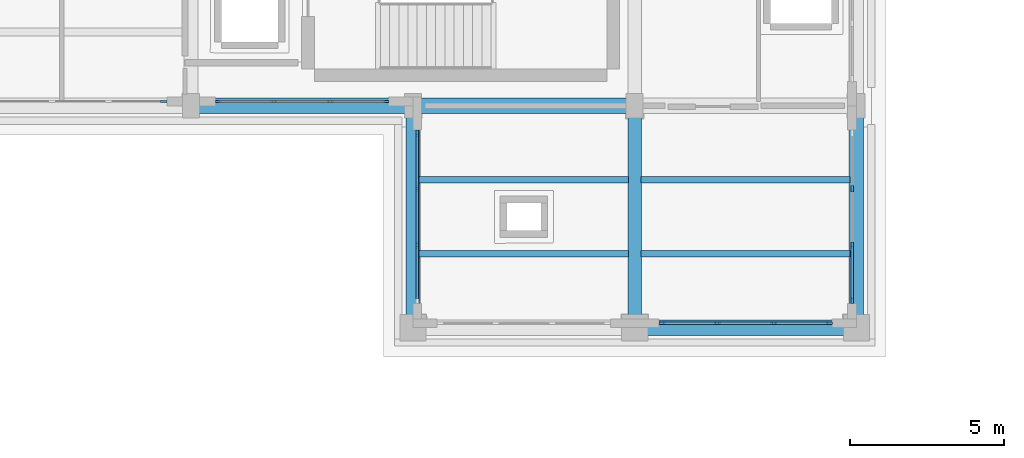
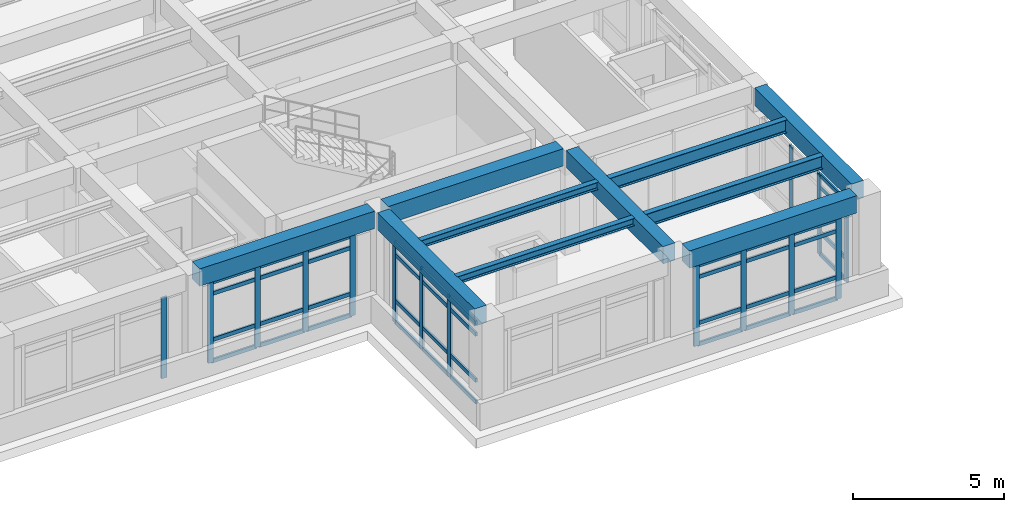
# One storey, part 60 of 98: 55 members, 10 beams, 5 elements without a shape of their own.
"""IFC4 building model written with IfcOpenShell, lengths in metres."""

from ifc_helpers import new_model, si_unit, direction, frame, origin, origin_2d, place, context, subcontext, project, spatial, rectangle, i_section, extrude, material, layer, layer_set, material_profile, profile_set, type_object, element, aggregate, save


model = new_model("IFC4")

# Units and contexts
model_context = context("Model", 3, precision=1e-05, world=origin(), true_north=direction((0.0, 1.0)))
body_context = subcontext(model_context, "Body", "Model", "MODEL_VIEW")
ifc_project = project(units=[si_unit("LENGTHUNIT", "METRE"), si_unit("AREAUNIT", "SQUARE_METRE"), si_unit("VOLUMEUNIT", "CUBIC_METRE"), si_unit("PLANEANGLEUNIT", "RADIAN"), si_unit("MASSUNIT", "GRAM", prefix="KILO")], contexts=[model_context])

# Site, building, storey
site_placement = place(None, origin())
site = spatial("IfcSite", under=ifc_project, at=site_placement, CompositionType="ELEMENT")
building_placement = place(site_placement, origin())
building = spatial("IfcBuilding", under=site, at=building_placement, Name="Solenvale Faculty of Natural Sciences", CompositionType="ELEMENT")
storey_placement = place(building_placement, frame((0.0, 0.0, 9.0)))
storey = spatial("IfcBuildingStorey", under=building, at=storey_placement, Name="L02", CompositionType="ELEMENT", Elevation=9.0)

# Beams
ifc_material_1 = material(Name="Concrete 40 MPa", Category="concrete")
ifc_material_profile_1 = material_profile(ifc_material_1, rectangle(XDim=0.449951171875, YDim=0.699951171875, at=origin_2d()), Name="RC-BM-450x700")
ifc_profile_set_1 = profile_set([ifc_material_profile_1], Name="Concrete 40 MPa")
beam_type_1 = type_object("IfcBeamType", Name="BM-RC-450x700", PredefinedType="BEAM", material=ifc_profile_set_1)
for number, where, z_axis, x_axis, name in (
    (1, (136.800048828125, 86.804931640625, 3.8701171875), (0.0, 1.0, 0.0), (-1.0, 0.0, 0.0), "L02 Y-Girder X136.8 (86.4..93.6)"),
    (2, (144.0, 86.804931640625, 3.8701171875), (0.0, 1.0, 0.0), (-1.0, 0.0, 0.0), "L02 Y-Girder X144.0 (86.4..93.6)"),
    (3, (151.199951171875, 86.804931640625, 3.8701171875), (0.0, 1.0, 0.0), (-1.0, 0.0, 0.0), "L02 Y-Girder X151.2 (86.4..93.6)"),
):
    element("IfcBeam", number, at=place(storey_placement, frame(where, z_axis=z_axis, x_axis=x_axis)), inside=storey, type_object=beam_type_1, Name=name, PredefinedType="BEAM", context=body_context, shape_type="SweptSolid", body=[
        extrude(rectangle(XDim=0.449951171875, YDim=0.699951171875, at=origin_2d()), origin(), (0.0, 0.0, 1.0), 6.4150390625),
    ])
ifc_material_profile_2 = material_profile(ifc_material_1, rectangle(XDim=0.5, YDim=0.699951171875, at=origin_2d()), Name="RC-BM-500x700")
ifc_profile_set_2 = profile_set([ifc_material_profile_2], Name="Concrete 40 MPa")
beam_type_2 = type_object("IfcBeamType", Name="BM-RC-500x700", PredefinedType="BEAM", material=ifc_profile_set_2)
beam_1_placement = place(storey_placement, frame((144.405029296875, 86.39990234375, 3.8701171875), z_axis=(1.0, 0.0, 0.0), x_axis=(0.0, 1.0, 0.0)))
element("IfcBeam", 4, at=beam_1_placement, inside=storey, type_object=beam_type_2, Name="L02 X-Girder Y86.4 (144.0..151.2)", PredefinedType="BEAM", context=body_context, shape_type="SweptSolid", body=[
    extrude(rectangle(XDim=0.5, YDim=0.699951171875, at=origin_2d()), origin(), (0.0, 0.0, 1.0), 6.389892578125),
])
beam_2_placement = place(storey_placement, frame((129.85498046875, 93.60009765625, 3.8701171875), z_axis=(1.0, 0.0, 0.0), x_axis=(0.0, 1.0, 0.0)))
element("IfcBeam", 5, at=beam_2_placement, inside=storey, type_object=beam_type_2, Name="L02 X-Girder Y93.6 (129.6..136.8)", PredefinedType="BEAM", context=body_context, shape_type="SweptSolid", body=[
    extrude(rectangle(XDim=0.5, YDim=0.699951171875, at=origin_2d()), origin(), (0.0, 0.0, 1.0), 6.68994140625),
])
beam_3_placement = place(storey_placement, frame((137.054931640625, 93.60009765625, 3.8701171875), z_axis=(1.0, 0.0, 0.0), x_axis=(0.0, 1.0, 0.0)))
element("IfcBeam", 6, at=beam_3_placement, inside=storey, type_object=beam_type_2, Name="L02 X-Girder Y93.6 (136.8..144.0)", PredefinedType="BEAM", context=body_context, shape_type="SweptSolid", body=[
    extrude(rectangle(XDim=0.5, YDim=0.699951171875, at=origin_2d()), origin(), (0.0, 0.0, 1.0), 6.690185546875),
])
ifc_material_2 = material(Name="Steel S355", Category="steel")
ifc_material_profile_3 = material_profile(ifc_material_2, i_section(OverallWidth=0.202880859375, OverallDepth=0.302978515625, WebThickness=0.007568359375, FlangeThickness=0.01318359375, FilletRadius=0.014892578125, at=origin_2d()), Name="W310x60")
ifc_profile_set_3 = profile_set([ifc_material_profile_3], Name="Steel S355")
beam_type_3 = type_object("IfcBeamType", Name="BM-STL-W310x60", PredefinedType="JOIST", material=ifc_profile_set_3)
for number, where, z_axis, x_axis, name in (
    (7, (137.0048828125, 88.800048828125, 4.068603515625), (1.0, 0.0, 0.0), (0.0, 1.0, 0.0), "L02 Composite Floor Joist (20,13).1"),
    (8, (137.0048828125, 91.199951171875, 4.068603515625), (1.0, 0.0, 0.0), (0.0, 1.0, 0.0), "L02 Composite Floor Joist (20,13).2"),
):
    element("IfcBeam", number, at=place(storey_placement, frame(where, z_axis=z_axis, x_axis=x_axis)), inside=storey, type_object=beam_type_3, Name=name, PredefinedType="JOIST", context=body_context, shape_type="SweptSolid", body=[
        extrude(i_section(OverallWidth=0.202880859375, OverallDepth=0.302978515625, WebThickness=0.007568359375, FlangeThickness=0.01318359375, FilletRadius=0.014892578125, at=origin_2d()), origin(), (0.0, 0.0, 1.0), 6.7900390625),
    ])
ifc_material_profile_4 = material_profile(ifc_material_2, i_section(OverallWidth=0.208984375, OverallDepth=0.532958984375, WebThickness=0.01025390625, FlangeThickness=0.015625, FilletRadius=0.01904296875, at=origin_2d()), Name="W530x92")
ifc_profile_set_4 = profile_set([ifc_material_profile_4], Name="Steel S355")
beam_type_4 = type_object("IfcBeamType", Name="BM-STL-W530x92", PredefinedType="JOIST", material=ifc_profile_set_4)
for number, where, z_axis, x_axis, name in (
    (9, (144.205078125, 88.800048828125, 3.95361328125), (1.0, 0.0, 0.0), (0.0, 1.0, 0.0), "L02 Composite Floor Joist (21,13).1"),
    (10, (144.205078125, 91.199951171875, 3.95361328125), (1.0, 0.0, 0.0), (0.0, 1.0, 0.0), "L02 Composite Floor Joist (21,13).2"),
):
    element("IfcBeam", number, at=place(storey_placement, frame(where, z_axis=z_axis, x_axis=x_axis)), inside=storey, type_object=beam_type_4, Name=name, PredefinedType="JOIST", context=body_context, shape_type="SweptSolid", body=[
        extrude(i_section(OverallWidth=0.208984375, OverallDepth=0.532958984375, WebThickness=0.01025390625, FlangeThickness=0.015625, FilletRadius=0.01904296875, at=origin_2d()), origin(), (0.0, 0.0, 1.0), 6.7900390625),
    ])

# Curtain wall, members
ifc_material_3 = material(Name="Anodised bronze aluminium", Category="aluminium")
ifc_layer = layer(ifc_material_3, 0.179931640625)
ifc_layer_set = layer_set([ifc_layer], Name="Anodised bronze aluminium")
curtain_wall_type = type_object("IfcCurtainWallType", Name="CW-TWR-MOD", PredefinedType="USERDEFINED", material=ifc_layer_set)
curtain_wall_1_placement = place(storey_placement, origin())
curtain_wall_1 = element("IfcCurtainWall", 11, at=curtain_wall_1_placement, inside=storey, type_object=curtain_wall_type, Name="L02 Curtain Wall CW-L02-P2-E1-B2", ObjectType="UNITISED CURTAIN WALL", PredefinedType="USERDEFINED")
ifc_material_profile_5 = material_profile(ifc_material_3, rectangle(XDim=0.074951171875, YDim=0.2099609375, at=origin_2d()), Name="ALU-MUL-75x210")
ifc_profile_set_5 = profile_set([ifc_material_profile_5], Name="Anodised bronze aluminium")
member_type_1 = type_object("IfcMemberType", Name="CWM-ALU-75x210", PredefinedType="MULLION", material=ifc_profile_set_5)
member_1_placement = place(storey_placement, frame((144.887451171875, 86.54248046875, 0.0), z_axis=(0.0, 0.0, 1.0), x_axis=(0.0, 1.0, 0.0)))
member_1 = element("IfcMember", 12, at=member_1_placement, type_object=member_type_1, Name="CW-04 mullion 1", PredefinedType="MULLION", context=body_context, shape_type="SweptSolid", body=[
    extrude(rectangle(XDim=0.074951171875, YDim=0.2099609375, at=origin_2d()), origin(), (0.0, 0.0, 1.0), 3.260009765625),
])
member_2_placement = place(storey_placement, frame((146.683349609375, 86.54248046875, 0.0), z_axis=(0.0, 0.0, 1.0), x_axis=(0.0, 1.0, 0.0)))
member_2 = element("IfcMember", 13, at=member_2_placement, type_object=member_type_1, Name="CW-04 mullion 2", PredefinedType="MULLION", context=body_context, shape_type="SweptSolid", body=[
    extrude(rectangle(XDim=0.074951171875, YDim=0.2099609375, at=origin_2d()), origin(), (0.0, 0.0, 1.0), 3.260009765625),
])
member_3_placement = place(storey_placement, frame((148.5166015625, 86.54248046875, 0.0), z_axis=(0.0, 0.0, 1.0), x_axis=(0.0, 1.0, 0.0)))
member_3 = element("IfcMember", 14, at=member_3_placement, type_object=member_type_1, Name="CW-04 mullion 3", PredefinedType="MULLION", context=body_context, shape_type="SweptSolid", body=[
    extrude(rectangle(XDim=0.074951171875, YDim=0.2099609375, at=origin_2d()), origin(), (0.0, 0.0, 1.0), 3.260009765625),
])
member_4_placement = place(storey_placement, frame((150.3125, 86.54248046875, 0.0), z_axis=(0.0, 0.0, 1.0), x_axis=(0.0, 1.0, 0.0)))
member_4 = element("IfcMember", 15, at=member_4_placement, type_object=member_type_1, Name="CW-04 mullion 4", PredefinedType="MULLION", context=body_context, shape_type="SweptSolid", body=[
    extrude(rectangle(XDim=0.074951171875, YDim=0.2099609375, at=origin_2d()), origin(), (0.0, 0.0, 1.0), 3.260009765625),
])

curtain_wall_2_placement = place(storey_placement, origin())
curtain_wall_2 = element("IfcCurtainWall", 16, at=curtain_wall_2_placement, inside=storey, type_object=curtain_wall_type, Name="L02 Curtain Wall CW-L02-P2-E2-B1", ObjectType="UNITISED CURTAIN WALL", PredefinedType="USERDEFINED")
member_5_placement = place(storey_placement, frame((151.0576171875, 87.28759765625, 0.0), z_axis=(0.0, 0.0, 1.0), x_axis=(-1.0, 0.0, 0.0)))
member_5 = element("IfcMember", 17, at=member_5_placement, type_object=member_type_1, Name="CW-04 mullion 1", PredefinedType="MULLION", context=body_context, shape_type="SweptSolid", body=[
    extrude(rectangle(XDim=0.074951171875, YDim=0.2099609375, at=origin_2d()), origin(), (0.0, 0.0, 1.0), 3.260009765625),
])
member_6_placement = place(storey_placement, frame((151.0576171875, 89.083251953125, 0.0), z_axis=(0.0, 0.0, 1.0), x_axis=(-1.0, 0.0, 0.0)))
member_6 = element("IfcMember", 18, at=member_6_placement, type_object=member_type_1, Name="CW-04 mullion 2", PredefinedType="MULLION", context=body_context, shape_type="SweptSolid", body=[
    extrude(rectangle(XDim=0.074951171875, YDim=0.2099609375, at=origin_2d()), origin(), (0.0, 0.0, 1.0), 3.260009765625),
])
member_7_placement = place(storey_placement, frame((151.0576171875, 90.916748046875, 0.0), z_axis=(0.0, 0.0, 1.0), x_axis=(-1.0, 0.0, 0.0)))
member_7 = element("IfcMember", 19, at=member_7_placement, type_object=member_type_1, Name="CW-04 mullion 3", PredefinedType="MULLION", context=body_context, shape_type="SweptSolid", body=[
    extrude(rectangle(XDim=0.074951171875, YDim=0.2099609375, at=origin_2d()), origin(), (0.0, 0.0, 1.0), 3.260009765625),
])

# Curtain wall, member
curtain_wall_3_placement = place(storey_placement, origin())
curtain_wall_3 = element("IfcCurtainWall", 20, at=curtain_wall_3_placement, inside=storey, type_object=curtain_wall_type, Name="L02 Curtain Wall CW-L02-P2-E6-B7", ObjectType="UNITISED CURTAIN WALL", PredefinedType="USERDEFINED")
member_8_placement = place(storey_placement, frame((128.71240234375, 93.742431640625, 0.0), z_axis=(0.0, 0.0, 1.0), x_axis=(0.0, 1.0, 0.0)))
member_8 = element("IfcMember", 21, at=member_8_placement, type_object=member_type_1, Name="CW-04 mullion 4", PredefinedType="MULLION", context=body_context, shape_type="SweptSolid", body=[
    extrude(rectangle(XDim=0.074951171875, YDim=0.2099609375, at=origin_2d()), origin(), (0.0, 0.0, 1.0), 3.260009765625),
])
aggregate(curtain_wall_3, [member_8])

# Curtain wall, members
curtain_wall_4_placement = place(storey_placement, origin())
curtain_wall_4 = element("IfcCurtainWall", 22, at=curtain_wall_4_placement, inside=storey, type_object=curtain_wall_type, Name="L02 Curtain Wall CW-L02-P2-E6-B8", ObjectType="UNITISED CURTAIN WALL", PredefinedType="USERDEFINED")
member_9_placement = place(storey_placement, frame((130.487548828125, 93.742431640625, 0.0), z_axis=(0.0, 0.0, 1.0), x_axis=(0.0, 1.0, 0.0)))
member_9 = element("IfcMember", 23, at=member_9_placement, type_object=member_type_1, Name="CW-04 mullion 1", PredefinedType="MULLION", context=body_context, shape_type="SweptSolid", body=[
    extrude(rectangle(XDim=0.074951171875, YDim=0.2099609375, at=origin_2d()), origin(), (0.0, 0.0, 1.0), 3.260009765625),
])
member_10_placement = place(storey_placement, frame((132.283447265625, 93.742431640625, 0.0), z_axis=(0.0, 0.0, 1.0), x_axis=(0.0, 1.0, 0.0)))
member_10 = element("IfcMember", 24, at=member_10_placement, type_object=member_type_1, Name="CW-04 mullion 2", PredefinedType="MULLION", context=body_context, shape_type="SweptSolid", body=[
    extrude(rectangle(XDim=0.074951171875, YDim=0.2099609375, at=origin_2d()), origin(), (0.0, 0.0, 1.0), 3.260009765625),
])
member_11_placement = place(storey_placement, frame((134.11669921875, 93.742431640625, 0.0), z_axis=(0.0, 0.0, 1.0), x_axis=(0.0, 1.0, 0.0)))
member_11 = element("IfcMember", 25, at=member_11_placement, type_object=member_type_1, Name="CW-04 mullion 3", PredefinedType="MULLION", context=body_context, shape_type="SweptSolid", body=[
    extrude(rectangle(XDim=0.074951171875, YDim=0.2099609375, at=origin_2d()), origin(), (0.0, 0.0, 1.0), 3.260009765625),
])
member_12_placement = place(storey_placement, frame((135.91259765625, 93.742431640625, 0.0), z_axis=(0.0, 0.0, 1.0), x_axis=(0.0, 1.0, 0.0)))
member_12 = element("IfcMember", 26, at=member_12_placement, type_object=member_type_1, Name="CW-04 mullion 4", PredefinedType="MULLION", context=body_context, shape_type="SweptSolid", body=[
    extrude(rectangle(XDim=0.074951171875, YDim=0.2099609375, at=origin_2d()), origin(), (0.0, 0.0, 1.0), 3.260009765625),
])

curtain_wall_5_placement = place(storey_placement, origin())
curtain_wall_5 = element("IfcCurtainWall", 27, at=curtain_wall_5_placement, inside=storey, type_object=curtain_wall_type, Name="L02 Curtain Wall CW-L02-P2-E7-B1", ObjectType="UNITISED CURTAIN WALL", PredefinedType="USERDEFINED")
member_13_placement = place(storey_placement, frame((136.9423828125, 92.71240234375, 0.0), z_axis=(0.0, 0.0, 1.0), x_axis=(1.0, 0.0, 0.0)))
member_13 = element("IfcMember", 28, at=member_13_placement, type_object=member_type_1, Name="CW-04 mullion 1", PredefinedType="MULLION", context=body_context, shape_type="SweptSolid", body=[
    extrude(rectangle(XDim=0.074951171875, YDim=0.2099609375, at=origin_2d()), origin(), (0.0, 0.0, 1.0), 3.260009765625),
])
member_14_placement = place(storey_placement, frame((136.9423828125, 90.916748046875, 0.0), z_axis=(0.0, 0.0, 1.0), x_axis=(1.0, 0.0, 0.0)))
member_14 = element("IfcMember", 29, at=member_14_placement, type_object=member_type_1, Name="CW-04 mullion 2", PredefinedType="MULLION", context=body_context, shape_type="SweptSolid", body=[
    extrude(rectangle(XDim=0.074951171875, YDim=0.2099609375, at=origin_2d()), origin(), (0.0, 0.0, 1.0), 3.260009765625),
])
member_15_placement = place(storey_placement, frame((136.9423828125, 89.083251953125, 0.0), z_axis=(0.0, 0.0, 1.0), x_axis=(1.0, 0.0, 0.0)))
member_15 = element("IfcMember", 30, at=member_15_placement, type_object=member_type_1, Name="CW-04 mullion 3", PredefinedType="MULLION", context=body_context, shape_type="SweptSolid", body=[
    extrude(rectangle(XDim=0.074951171875, YDim=0.2099609375, at=origin_2d()), origin(), (0.0, 0.0, 1.0), 3.260009765625),
])

# Member
ifc_material_profile_6 = material_profile(ifc_material_3, rectangle(XDim=0.074951171875, YDim=0.155029296875, at=origin_2d()), Name="ALU-TRN-75x155")
ifc_profile_set_6 = profile_set([ifc_material_profile_6], Name="Anodised bronze aluminium")
member_type_2 = type_object("IfcMemberType", Name="CWT-ALU-75x155", PredefinedType="USERDEFINED", material=ifc_profile_set_6)
member_16_placement = place(storey_placement, frame((144.925048828125, 86.54248046875, 0.03759765625), z_axis=(1.0, 0.0, 0.0), x_axis=(0.0, 1.0, 0.0)))
member_16 = element("IfcMember", 31, at=member_16_placement, type_object=member_type_2, Name="CW-04 transom 1.1", ObjectType="TRANSOM", PredefinedType="USERDEFINED", context=body_context, shape_type="SweptSolid", body=[
    extrude(rectangle(XDim=0.074951171875, YDim=0.155029296875, at=origin_2d()), origin(), (0.0, 0.0, 1.0), 1.720703125),
])

member_17_placement = place(storey_placement, frame((144.925048828125, 86.54248046875, 0.89990234375), z_axis=(1.0, 0.0, 0.0), x_axis=(0.0, 1.0, 0.0)))
member_17 = element("IfcMember", 32, at=member_17_placement, type_object=member_type_2, Name="CW-04 transom 1.2", ObjectType="TRANSOM", PredefinedType="USERDEFINED", context=body_context, shape_type="SweptSolid", body=[
    extrude(rectangle(XDim=0.074951171875, YDim=0.155029296875, at=origin_2d()), origin(), (0.0, 0.0, 1.0), 1.720703125),
])

member_18_placement = place(storey_placement, frame((144.925048828125, 86.54248046875, 2.760009765625), z_axis=(1.0, 0.0, 0.0), x_axis=(0.0, 1.0, 0.0)))
member_18 = element("IfcMember", 33, at=member_18_placement, type_object=member_type_2, Name="CW-04 transom 1.3", ObjectType="TRANSOM", PredefinedType="USERDEFINED", context=body_context, shape_type="SweptSolid", body=[
    extrude(rectangle(XDim=0.074951171875, YDim=0.155029296875, at=origin_2d()), origin(), (0.0, 0.0, 1.0), 1.720703125),
])

member_19_placement = place(storey_placement, frame((144.925048828125, 86.54248046875, 3.222412109375), z_axis=(1.0, 0.0, 0.0), x_axis=(0.0, 1.0, 0.0)))
member_19 = element("IfcMember", 34, at=member_19_placement, type_object=member_type_2, Name="CW-04 transom 1.4", ObjectType="TRANSOM", PredefinedType="USERDEFINED", context=body_context, shape_type="SweptSolid", body=[
    extrude(rectangle(XDim=0.074951171875, YDim=0.155029296875, at=origin_2d()), origin(), (0.0, 0.0, 1.0), 1.720703125),
])

member_20_placement = place(storey_placement, frame((146.720947265625, 86.54248046875, 0.03759765625), z_axis=(1.0, 0.0, 0.0), x_axis=(0.0, 1.0, 0.0)))
member_20 = element("IfcMember", 35, at=member_20_placement, type_object=member_type_2, Name="CW-04 transom 2.1", ObjectType="TRANSOM", PredefinedType="USERDEFINED", context=body_context, shape_type="SweptSolid", body=[
    extrude(rectangle(XDim=0.074951171875, YDim=0.155029296875, at=origin_2d()), origin(), (0.0, 0.0, 1.0), 1.75830078125),
])

member_21_placement = place(storey_placement, frame((146.720947265625, 86.54248046875, 0.89990234375), z_axis=(1.0, 0.0, 0.0), x_axis=(0.0, 1.0, 0.0)))
member_21 = element("IfcMember", 36, at=member_21_placement, type_object=member_type_2, Name="CW-04 transom 2.2", ObjectType="TRANSOM", PredefinedType="USERDEFINED", context=body_context, shape_type="SweptSolid", body=[
    extrude(rectangle(XDim=0.074951171875, YDim=0.155029296875, at=origin_2d()), origin(), (0.0, 0.0, 1.0), 1.75830078125),
])

member_22_placement = place(storey_placement, frame((146.720947265625, 86.54248046875, 2.760009765625), z_axis=(1.0, 0.0, 0.0), x_axis=(0.0, 1.0, 0.0)))
member_22 = element("IfcMember", 37, at=member_22_placement, type_object=member_type_2, Name="CW-04 transom 2.3", ObjectType="TRANSOM", PredefinedType="USERDEFINED", context=body_context, shape_type="SweptSolid", body=[
    extrude(rectangle(XDim=0.074951171875, YDim=0.155029296875, at=origin_2d()), origin(), (0.0, 0.0, 1.0), 1.75830078125),
])

member_23_placement = place(storey_placement, frame((146.720947265625, 86.54248046875, 3.222412109375), z_axis=(1.0, 0.0, 0.0), x_axis=(0.0, 1.0, 0.0)))
member_23 = element("IfcMember", 38, at=member_23_placement, type_object=member_type_2, Name="CW-04 transom 2.4", ObjectType="TRANSOM", PredefinedType="USERDEFINED", context=body_context, shape_type="SweptSolid", body=[
    extrude(rectangle(XDim=0.074951171875, YDim=0.155029296875, at=origin_2d()), origin(), (0.0, 0.0, 1.0), 1.75830078125),
])

member_24_placement = place(storey_placement, frame((148.55419921875, 86.54248046875, 0.03759765625), z_axis=(1.0, 0.0, 0.0), x_axis=(0.0, 1.0, 0.0)))
member_24 = element("IfcMember", 39, at=member_24_placement, type_object=member_type_2, Name="CW-04 transom 3.1", ObjectType="TRANSOM", PredefinedType="USERDEFINED", context=body_context, shape_type="SweptSolid", body=[
    extrude(rectangle(XDim=0.074951171875, YDim=0.155029296875, at=origin_2d()), origin(), (0.0, 0.0, 1.0), 1.720703125),
])

member_25_placement = place(storey_placement, frame((148.55419921875, 86.54248046875, 0.89990234375), z_axis=(1.0, 0.0, 0.0), x_axis=(0.0, 1.0, 0.0)))
member_25 = element("IfcMember", 40, at=member_25_placement, type_object=member_type_2, Name="CW-04 transom 3.2", ObjectType="TRANSOM", PredefinedType="USERDEFINED", context=body_context, shape_type="SweptSolid", body=[
    extrude(rectangle(XDim=0.074951171875, YDim=0.155029296875, at=origin_2d()), origin(), (0.0, 0.0, 1.0), 1.720703125),
])

member_26_placement = place(storey_placement, frame((148.55419921875, 86.54248046875, 2.760009765625), z_axis=(1.0, 0.0, 0.0), x_axis=(0.0, 1.0, 0.0)))
member_26 = element("IfcMember", 41, at=member_26_placement, type_object=member_type_2, Name="CW-04 transom 3.3", ObjectType="TRANSOM", PredefinedType="USERDEFINED", context=body_context, shape_type="SweptSolid", body=[
    extrude(rectangle(XDim=0.074951171875, YDim=0.155029296875, at=origin_2d()), origin(), (0.0, 0.0, 1.0), 1.720703125),
])

member_27_placement = place(storey_placement, frame((148.55419921875, 86.54248046875, 3.222412109375), z_axis=(1.0, 0.0, 0.0), x_axis=(0.0, 1.0, 0.0)))
member_27 = element("IfcMember", 42, at=member_27_placement, type_object=member_type_2, Name="CW-04 transom 3.4", ObjectType="TRANSOM", PredefinedType="USERDEFINED", context=body_context, shape_type="SweptSolid", body=[
    extrude(rectangle(XDim=0.074951171875, YDim=0.155029296875, at=origin_2d()), origin(), (0.0, 0.0, 1.0), 1.720703125),
])

aggregate(curtain_wall_1, [member_1, member_2, member_3, member_4, member_16, member_17, member_18, member_19, member_20, member_21, member_22, member_23, member_24, member_25, member_26, member_27])

member_28_placement = place(storey_placement, frame((151.0576171875, 87.324951171875, 0.03759765625), z_axis=(0.0, 1.0, 0.0), x_axis=(-1.0, 0.0, 0.0)))
member_28 = element("IfcMember", 43, at=member_28_placement, type_object=member_type_2, Name="CW-04 transom 1.1", ObjectType="TRANSOM", PredefinedType="USERDEFINED", context=body_context, shape_type="SweptSolid", body=[
    extrude(rectangle(XDim=0.074951171875, YDim=0.155029296875, at=origin_2d()), origin(), (0.0, 0.0, 1.0), 1.720947265625),
])

member_29_placement = place(storey_placement, frame((151.0576171875, 87.324951171875, 0.89990234375), z_axis=(0.0, 1.0, 0.0), x_axis=(-1.0, 0.0, 0.0)))
member_29 = element("IfcMember", 44, at=member_29_placement, type_object=member_type_2, Name="CW-04 transom 1.2", ObjectType="TRANSOM", PredefinedType="USERDEFINED", context=body_context, shape_type="SweptSolid", body=[
    extrude(rectangle(XDim=0.074951171875, YDim=0.155029296875, at=origin_2d()), origin(), (0.0, 0.0, 1.0), 1.720947265625),
])

member_30_placement = place(storey_placement, frame((151.0576171875, 87.324951171875, 2.760009765625), z_axis=(0.0, 1.0, 0.0), x_axis=(-1.0, 0.0, 0.0)))
member_30 = element("IfcMember", 45, at=member_30_placement, type_object=member_type_2, Name="CW-04 transom 1.3", ObjectType="TRANSOM", PredefinedType="USERDEFINED", context=body_context, shape_type="SweptSolid", body=[
    extrude(rectangle(XDim=0.074951171875, YDim=0.155029296875, at=origin_2d()), origin(), (0.0, 0.0, 1.0), 1.720947265625),
])

member_31_placement = place(storey_placement, frame((151.0576171875, 87.324951171875, 3.222412109375), z_axis=(0.0, 1.0, 0.0), x_axis=(-1.0, 0.0, 0.0)))
member_31 = element("IfcMember", 46, at=member_31_placement, type_object=member_type_2, Name="CW-04 transom 1.4", ObjectType="TRANSOM", PredefinedType="USERDEFINED", context=body_context, shape_type="SweptSolid", body=[
    extrude(rectangle(XDim=0.074951171875, YDim=0.155029296875, at=origin_2d()), origin(), (0.0, 0.0, 1.0), 1.720947265625),
])

aggregate(curtain_wall_2, [member_5, member_6, member_7, member_28, member_29, member_30, member_31])

member_32_placement = place(storey_placement, frame((130.52490234375, 93.742431640625, 0.03759765625), z_axis=(1.0, 0.0, 0.0), x_axis=(0.0, 1.0, 0.0)))
member_32 = element("IfcMember", 47, at=member_32_placement, type_object=member_type_2, Name="CW-04 transom 1.1", ObjectType="TRANSOM", PredefinedType="USERDEFINED", context=body_context, shape_type="SweptSolid", body=[
    extrude(rectangle(XDim=0.074951171875, YDim=0.155029296875, at=origin_2d()), origin(), (0.0, 0.0, 1.0), 1.720947265625),
])

member_33_placement = place(storey_placement, frame((130.52490234375, 93.742431640625, 0.89990234375), z_axis=(1.0, 0.0, 0.0), x_axis=(0.0, 1.0, 0.0)))
member_33 = element("IfcMember", 48, at=member_33_placement, type_object=member_type_2, Name="CW-04 transom 1.2", ObjectType="TRANSOM", PredefinedType="USERDEFINED", context=body_context, shape_type="SweptSolid", body=[
    extrude(rectangle(XDim=0.074951171875, YDim=0.155029296875, at=origin_2d()), origin(), (0.0, 0.0, 1.0), 1.720947265625),
])

member_34_placement = place(storey_placement, frame((130.52490234375, 93.742431640625, 2.760009765625), z_axis=(1.0, 0.0, 0.0), x_axis=(0.0, 1.0, 0.0)))
member_34 = element("IfcMember", 49, at=member_34_placement, type_object=member_type_2, Name="CW-04 transom 1.3", ObjectType="TRANSOM", PredefinedType="USERDEFINED", context=body_context, shape_type="SweptSolid", body=[
    extrude(rectangle(XDim=0.074951171875, YDim=0.155029296875, at=origin_2d()), origin(), (0.0, 0.0, 1.0), 1.720947265625),
])

member_35_placement = place(storey_placement, frame((130.52490234375, 93.742431640625, 3.222412109375), z_axis=(1.0, 0.0, 0.0), x_axis=(0.0, 1.0, 0.0)))
member_35 = element("IfcMember", 50, at=member_35_placement, type_object=member_type_2, Name="CW-04 transom 1.4", ObjectType="TRANSOM", PredefinedType="USERDEFINED", context=body_context, shape_type="SweptSolid", body=[
    extrude(rectangle(XDim=0.074951171875, YDim=0.155029296875, at=origin_2d()), origin(), (0.0, 0.0, 1.0), 1.720947265625),
])

member_36_placement = place(storey_placement, frame((132.32080078125, 93.742431640625, 0.03759765625), z_axis=(1.0, 0.0, 0.0), x_axis=(0.0, 1.0, 0.0)))
member_36 = element("IfcMember", 51, at=member_36_placement, type_object=member_type_2, Name="CW-04 transom 2.1", ObjectType="TRANSOM", PredefinedType="USERDEFINED", context=body_context, shape_type="SweptSolid", body=[
    extrude(rectangle(XDim=0.074951171875, YDim=0.155029296875, at=origin_2d()), origin(), (0.0, 0.0, 1.0), 1.75830078125),
])

member_37_placement = place(storey_placement, frame((132.32080078125, 93.742431640625, 0.89990234375), z_axis=(1.0, 0.0, 0.0), x_axis=(0.0, 1.0, 0.0)))
member_37 = element("IfcMember", 52, at=member_37_placement, type_object=member_type_2, Name="CW-04 transom 2.2", ObjectType="TRANSOM", PredefinedType="USERDEFINED", context=body_context, shape_type="SweptSolid", body=[
    extrude(rectangle(XDim=0.074951171875, YDim=0.155029296875, at=origin_2d()), origin(), (0.0, 0.0, 1.0), 1.75830078125),
])

member_38_placement = place(storey_placement, frame((132.32080078125, 93.742431640625, 2.760009765625), z_axis=(1.0, 0.0, 0.0), x_axis=(0.0, 1.0, 0.0)))
member_38 = element("IfcMember", 53, at=member_38_placement, type_object=member_type_2, Name="CW-04 transom 2.3", ObjectType="TRANSOM", PredefinedType="USERDEFINED", context=body_context, shape_type="SweptSolid", body=[
    extrude(rectangle(XDim=0.074951171875, YDim=0.155029296875, at=origin_2d()), origin(), (0.0, 0.0, 1.0), 1.75830078125),
])

member_39_placement = place(storey_placement, frame((132.32080078125, 93.742431640625, 3.222412109375), z_axis=(1.0, 0.0, 0.0), x_axis=(0.0, 1.0, 0.0)))
member_39 = element("IfcMember", 54, at=member_39_placement, type_object=member_type_2, Name="CW-04 transom 2.4", ObjectType="TRANSOM", PredefinedType="USERDEFINED", context=body_context, shape_type="SweptSolid", body=[
    extrude(rectangle(XDim=0.074951171875, YDim=0.155029296875, at=origin_2d()), origin(), (0.0, 0.0, 1.0), 1.75830078125),
])

member_40_placement = place(storey_placement, frame((134.154052734375, 93.742431640625, 0.03759765625), z_axis=(1.0, 0.0, 0.0), x_axis=(0.0, 1.0, 0.0)))
member_40 = element("IfcMember", 55, at=member_40_placement, type_object=member_type_2, Name="CW-04 transom 3.1", ObjectType="TRANSOM", PredefinedType="USERDEFINED", context=body_context, shape_type="SweptSolid", body=[
    extrude(rectangle(XDim=0.074951171875, YDim=0.155029296875, at=origin_2d()), origin(), (0.0, 0.0, 1.0), 1.720947265625),
])

member_41_placement = place(storey_placement, frame((134.154052734375, 93.742431640625, 0.89990234375), z_axis=(1.0, 0.0, 0.0), x_axis=(0.0, 1.0, 0.0)))
member_41 = element("IfcMember", 56, at=member_41_placement, type_object=member_type_2, Name="CW-04 transom 3.2", ObjectType="TRANSOM", PredefinedType="USERDEFINED", context=body_context, shape_type="SweptSolid", body=[
    extrude(rectangle(XDim=0.074951171875, YDim=0.155029296875, at=origin_2d()), origin(), (0.0, 0.0, 1.0), 1.720947265625),
])

member_42_placement = place(storey_placement, frame((134.154052734375, 93.742431640625, 2.760009765625), z_axis=(1.0, 0.0, 0.0), x_axis=(0.0, 1.0, 0.0)))
member_42 = element("IfcMember", 57, at=member_42_placement, type_object=member_type_2, Name="CW-04 transom 3.3", ObjectType="TRANSOM", PredefinedType="USERDEFINED", context=body_context, shape_type="SweptSolid", body=[
    extrude(rectangle(XDim=0.074951171875, YDim=0.155029296875, at=origin_2d()), origin(), (0.0, 0.0, 1.0), 1.720947265625),
])

member_43_placement = place(storey_placement, frame((134.154052734375, 93.742431640625, 3.222412109375), z_axis=(1.0, 0.0, 0.0), x_axis=(0.0, 1.0, 0.0)))
member_43 = element("IfcMember", 58, at=member_43_placement, type_object=member_type_2, Name="CW-04 transom 3.4", ObjectType="TRANSOM", PredefinedType="USERDEFINED", context=body_context, shape_type="SweptSolid", body=[
    extrude(rectangle(XDim=0.074951171875, YDim=0.155029296875, at=origin_2d()), origin(), (0.0, 0.0, 1.0), 1.720947265625),
])

aggregate(curtain_wall_4, [member_9, member_10, member_11, member_12, member_32, member_33, member_34, member_35, member_36, member_37, member_38, member_39, member_40, member_41, member_42, member_43])

member_44_placement = place(storey_placement, frame((136.9423828125, 92.675048828125, 0.03759765625), z_axis=(0.0, -1.0, 0.0), x_axis=(1.0, 0.0, 0.0)))
member_44 = element("IfcMember", 59, at=member_44_placement, type_object=member_type_2, Name="CW-04 transom 1.1", ObjectType="TRANSOM", PredefinedType="USERDEFINED", context=body_context, shape_type="SweptSolid", body=[
    extrude(rectangle(XDim=0.074951171875, YDim=0.155029296875, at=origin_2d()), origin(), (0.0, 0.0, 1.0), 1.720947265625),
])

member_45_placement = place(storey_placement, frame((136.9423828125, 92.675048828125, 0.89990234375), z_axis=(0.0, -1.0, 0.0), x_axis=(1.0, 0.0, 0.0)))
member_45 = element("IfcMember", 60, at=member_45_placement, type_object=member_type_2, Name="CW-04 transom 1.2", ObjectType="TRANSOM", PredefinedType="USERDEFINED", context=body_context, shape_type="SweptSolid", body=[
    extrude(rectangle(XDim=0.074951171875, YDim=0.155029296875, at=origin_2d()), origin(), (0.0, 0.0, 1.0), 1.720947265625),
])

member_46_placement = place(storey_placement, frame((136.9423828125, 92.675048828125, 2.760009765625), z_axis=(0.0, -1.0, 0.0), x_axis=(1.0, 0.0, 0.0)))
member_46 = element("IfcMember", 61, at=member_46_placement, type_object=member_type_2, Name="CW-04 transom 1.3", ObjectType="TRANSOM", PredefinedType="USERDEFINED", context=body_context, shape_type="SweptSolid", body=[
    extrude(rectangle(XDim=0.074951171875, YDim=0.155029296875, at=origin_2d()), origin(), (0.0, 0.0, 1.0), 1.720947265625),
])

member_47_placement = place(storey_placement, frame((136.9423828125, 92.675048828125, 3.222412109375), z_axis=(0.0, -1.0, 0.0), x_axis=(1.0, 0.0, 0.0)))
member_47 = element("IfcMember", 62, at=member_47_placement, type_object=member_type_2, Name="CW-04 transom 1.4", ObjectType="TRANSOM", PredefinedType="USERDEFINED", context=body_context, shape_type="SweptSolid", body=[
    extrude(rectangle(XDim=0.074951171875, YDim=0.155029296875, at=origin_2d()), origin(), (0.0, 0.0, 1.0), 1.720947265625),
])

member_48_placement = place(storey_placement, frame((136.9423828125, 90.879150390625, 0.03759765625), z_axis=(0.0, -1.0, 0.0), x_axis=(1.0, 0.0, 0.0)))
member_48 = element("IfcMember", 63, at=member_48_placement, type_object=member_type_2, Name="CW-04 transom 2.1", ObjectType="TRANSOM", PredefinedType="USERDEFINED", context=body_context, shape_type="SweptSolid", body=[
    extrude(rectangle(XDim=0.074951171875, YDim=0.155029296875, at=origin_2d()), origin(), (0.0, 0.0, 1.0), 1.75830078125),
])

member_49_placement = place(storey_placement, frame((136.9423828125, 90.879150390625, 0.89990234375), z_axis=(0.0, -1.0, 0.0), x_axis=(1.0, 0.0, 0.0)))
member_49 = element("IfcMember", 64, at=member_49_placement, type_object=member_type_2, Name="CW-04 transom 2.2", ObjectType="TRANSOM", PredefinedType="USERDEFINED", context=body_context, shape_type="SweptSolid", body=[
    extrude(rectangle(XDim=0.074951171875, YDim=0.155029296875, at=origin_2d()), origin(), (0.0, 0.0, 1.0), 1.75830078125),
])

member_50_placement = place(storey_placement, frame((136.9423828125, 90.879150390625, 2.760009765625), z_axis=(0.0, -1.0, 0.0), x_axis=(1.0, 0.0, 0.0)))
member_50 = element("IfcMember", 65, at=member_50_placement, type_object=member_type_2, Name="CW-04 transom 2.3", ObjectType="TRANSOM", PredefinedType="USERDEFINED", context=body_context, shape_type="SweptSolid", body=[
    extrude(rectangle(XDim=0.074951171875, YDim=0.155029296875, at=origin_2d()), origin(), (0.0, 0.0, 1.0), 1.75830078125),
])

member_51_placement = place(storey_placement, frame((136.9423828125, 90.879150390625, 3.222412109375), z_axis=(0.0, -1.0, 0.0), x_axis=(1.0, 0.0, 0.0)))
member_51 = element("IfcMember", 66, at=member_51_placement, type_object=member_type_2, Name="CW-04 transom 2.4", ObjectType="TRANSOM", PredefinedType="USERDEFINED", context=body_context, shape_type="SweptSolid", body=[
    extrude(rectangle(XDim=0.074951171875, YDim=0.155029296875, at=origin_2d()), origin(), (0.0, 0.0, 1.0), 1.75830078125),
])

member_52_placement = place(storey_placement, frame((136.9423828125, 89.0458984375, 0.03759765625), z_axis=(0.0, -1.0, 0.0), x_axis=(1.0, 0.0, 0.0)))
member_52 = element("IfcMember", 67, at=member_52_placement, type_object=member_type_2, Name="CW-04 transom 3.1", ObjectType="TRANSOM", PredefinedType="USERDEFINED", context=body_context, shape_type="SweptSolid", body=[
    extrude(rectangle(XDim=0.074951171875, YDim=0.155029296875, at=origin_2d()), origin(), (0.0, 0.0, 1.0), 1.720947265625),
])

member_53_placement = place(storey_placement, frame((136.9423828125, 89.0458984375, 0.89990234375), z_axis=(0.0, -1.0, 0.0), x_axis=(1.0, 0.0, 0.0)))
member_53 = element("IfcMember", 68, at=member_53_placement, type_object=member_type_2, Name="CW-04 transom 3.2", ObjectType="TRANSOM", PredefinedType="USERDEFINED", context=body_context, shape_type="SweptSolid", body=[
    extrude(rectangle(XDim=0.074951171875, YDim=0.155029296875, at=origin_2d()), origin(), (0.0, 0.0, 1.0), 1.720947265625),
])

member_54_placement = place(storey_placement, frame((136.9423828125, 89.0458984375, 2.760009765625), z_axis=(0.0, -1.0, 0.0), x_axis=(1.0, 0.0, 0.0)))
member_54 = element("IfcMember", 69, at=member_54_placement, type_object=member_type_2, Name="CW-04 transom 3.3", ObjectType="TRANSOM", PredefinedType="USERDEFINED", context=body_context, shape_type="SweptSolid", body=[
    extrude(rectangle(XDim=0.074951171875, YDim=0.155029296875, at=origin_2d()), origin(), (0.0, 0.0, 1.0), 1.720947265625),
])

member_55_placement = place(storey_placement, frame((136.9423828125, 89.0458984375, 3.222412109375), z_axis=(0.0, -1.0, 0.0), x_axis=(1.0, 0.0, 0.0)))
member_55 = element("IfcMember", 70, at=member_55_placement, type_object=member_type_2, Name="CW-04 transom 3.4", ObjectType="TRANSOM", PredefinedType="USERDEFINED", context=body_context, shape_type="SweptSolid", body=[
    extrude(rectangle(XDim=0.074951171875, YDim=0.155029296875, at=origin_2d()), origin(), (0.0, 0.0, 1.0), 1.720947265625),
])

aggregate(curtain_wall_5, [member_13, member_14, member_15, member_44, member_45, member_46, member_47, member_48, member_49, member_50, member_51, member_52, member_53, member_54, member_55])

save(model, "model.ifc")
